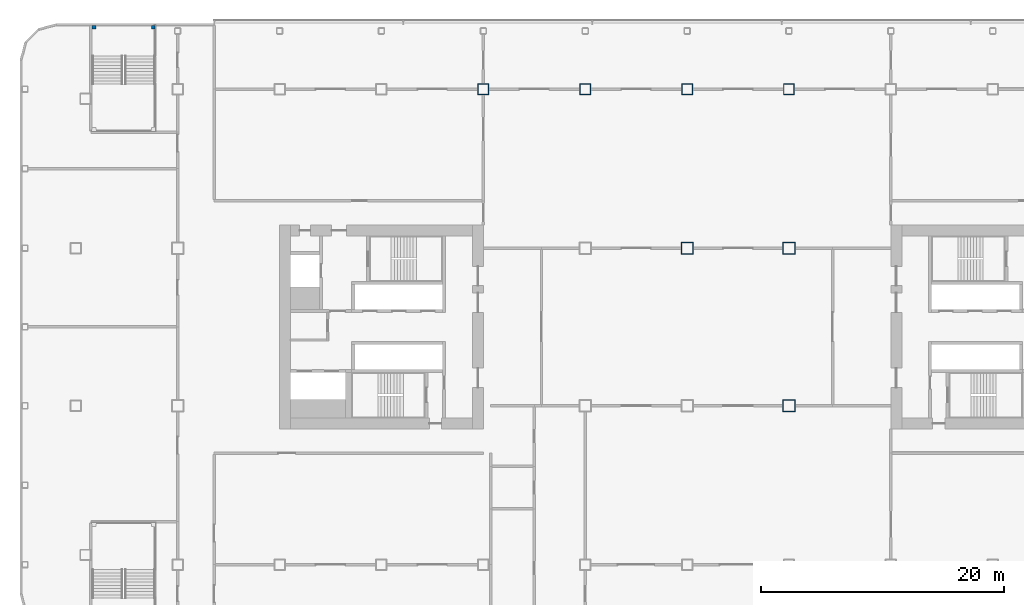
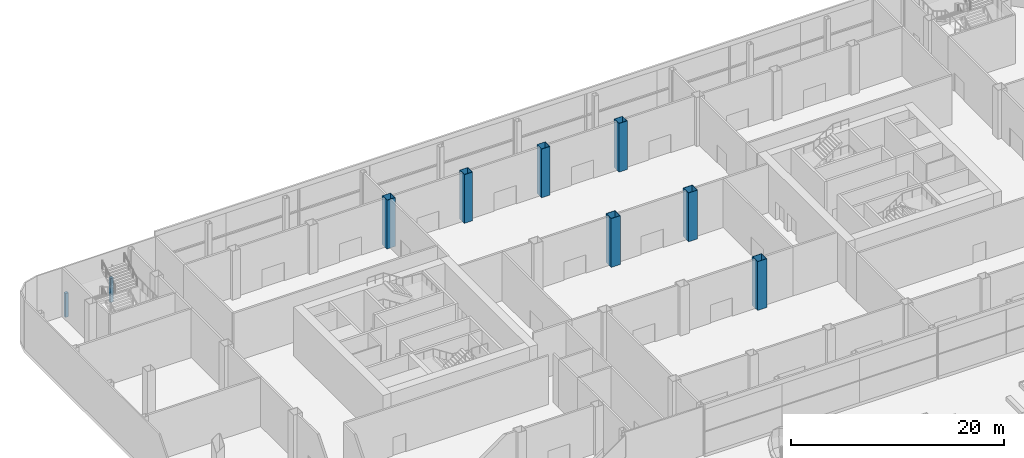
# One storey, part 4 of 100: 9 columns.
"""IFC4 building model written with IfcOpenShell, lengths in metres."""

from ifc_helpers import new_model, si_unit, direction, frame, origin, origin_2d, place, context, subcontext, project, spatial, rectangle, hollow_rectangle, extrude, material, material_profile, profile_set, type_object, element, save


model = new_model("IFC4")

# Units and contexts
model_context = context("Model", 3, precision=1e-05, world=origin(), true_north=direction((0.0, 1.0)))
body_context = subcontext(model_context, "Body", "Model", "MODEL_VIEW")
ifc_project = project(units=[si_unit("LENGTHUNIT", "METRE"), si_unit("AREAUNIT", "SQUARE_METRE"), si_unit("VOLUMEUNIT", "CUBIC_METRE"), si_unit("PLANEANGLEUNIT", "RADIAN"), si_unit("MASSUNIT", "GRAM", prefix="KILO")], contexts=[model_context])

# Site, building, storey
site_placement = place(None, origin())
site = spatial("IfcSite", under=ifc_project, at=site_placement, CompositionType="ELEMENT")
building_placement = place(site_placement, origin())
building = spatial("IfcBuilding", under=site, at=building_placement, Name="Hakoniwa Tower and Hamabe Station Hall", CompositionType="ELEMENT")
storey_placement = place(building_placement, frame((0.0, 0.0, 9.0)))
storey = spatial("IfcBuildingStorey", under=building, at=storey_placement, Name="L02", CompositionType="ELEMENT", Elevation=9.0)

# Columns
ifc_material_1 = material(Name="Steel SN490C", Category="steel")
ifc_material_profile_1 = material_profile(ifc_material_1, hollow_rectangle(XDim=1.0, YDim=1.0, WallThickness=0.0400390625, at=origin_2d()), Name="BX-1000x1000x40")
ifc_profile_set_1 = profile_set([ifc_material_profile_1], Name="Steel SN490C")
column_type_1 = type_object("IfcColumnType", Name="COLUMN BX-1000x1000x40", PredefinedType="COLUMN", material=ifc_profile_set_1)
for number, where, z_axis, x_axis, name in (
    (1, (0.0, 6.5, 0.0), (0.0, 0.0, 1.0), (1.0, 0.0, 0.0), "Column P-7-E1"),
    (2, (8.39990234375, -6.5, 0.0), (0.0, 0.0, 1.0), (1.0, 0.0, 0.0), "Column P-8-C1"),
    (3, (8.39990234375, 6.5, 0.0), (0.0, 0.0, 1.0), (1.0, 0.0, 0.0), "Column P-8-E1"),
):
    element("IfcColumn", number, at=place(storey_placement, frame(where, z_axis=z_axis, x_axis=x_axis)), inside=storey, type_object=column_type_1, Name=name, PredefinedType="COLUMN", context=body_context, shape_type="SweptSolid", body=[
        extrude(hollow_rectangle(XDim=1.0, YDim=1.0, WallThickness=0.0400390625, at=origin_2d()), origin(), (0.0, 0.0, 1.0), 5.60009765625),
    ])
ifc_material_2 = material(Name="Steel SN490C", Category="steel")
ifc_material_profile_2 = material_profile(ifc_material_2, hollow_rectangle(XDim=0.89990234375, YDim=0.89990234375, WallThickness=0.035888671875, at=origin_2d()), Name="BX-900x900x36")
ifc_profile_set_2 = profile_set([ifc_material_profile_2], Name="Steel SN490C")
column_type_2 = type_object("IfcColumnType", Name="COLUMN BX-900x900x36", PredefinedType="COLUMN", material=ifc_profile_set_2)
for number, where, z_axis, x_axis, name in (
    (4, (-16.800048828125, 19.60009765625, 0.0), (0.0, 0.0, 1.0), (1.0, 0.0, 0.0), "Column P-5-G1"),
    (5, (-8.39990234375, 19.60009765625, 0.0), (0.0, 0.0, 1.0), (1.0, 0.0, 0.0), "Column P-6-G1"),
    (6, (0.0, 19.60009765625, 0.0), (0.0, 0.0, 1.0), (1.0, 0.0, 0.0), "Column P-7-G1"),
    (7, (8.39990234375, 19.60009765625, 0.0), (0.0, 0.0, 1.0), (1.0, 0.0, 0.0), "Column P-8-G1"),
):
    element("IfcColumn", number, at=place(storey_placement, frame(where, z_axis=z_axis, x_axis=x_axis)), inside=storey, type_object=column_type_2, Name=name, PredefinedType="COLUMN", context=body_context, shape_type="SweptSolid", body=[
        extrude(hollow_rectangle(XDim=0.89990234375, YDim=0.89990234375, WallThickness=0.035888671875, at=origin_2d()), origin(), (0.0, 0.0, 1.0), 5.60009765625),
    ])
ifc_material_3 = material(Name="Concrete C40", Category="concrete")
ifc_material_profile_3 = material_profile(ifc_material_3, rectangle(XDim=0.300048828125, YDim=0.300048828125, at=origin_2d()), Name="STAIR LANDING POST 300X300")
ifc_profile_set_3 = profile_set([ifc_material_profile_3], Name="Concrete C40")
column_type_3 = type_object("IfcColumnType", Name="STAIR LANDING POST 300X300", PredefinedType="COLUMN", material=ifc_profile_set_3)
for number, where, z_axis, x_axis, name in (
    (8, (-48.89990234375, 24.699951171875, 0.0), (0.0, 0.0, 1.0), (1.0, 0.0, 0.0), "Landing post PS1 1a"),
    (9, (-44.0, 24.699951171875, 0.0), (0.0, 0.0, 1.0), (1.0, 0.0, 0.0), "Landing post PS1 1b"),
):
    element("IfcColumn", number, at=place(storey_placement, frame(where, z_axis=z_axis, x_axis=x_axis)), inside=storey, type_object=column_type_3, Name=name, PredefinedType="COLUMN", context=body_context, shape_type="SweptSolid", body=[
        extrude(rectangle(XDim=0.300048828125, YDim=0.300048828125, at=origin_2d()), origin(), (0.0, 0.0, 1.0), 2.75),
    ])

save(model, "model.ifc")
